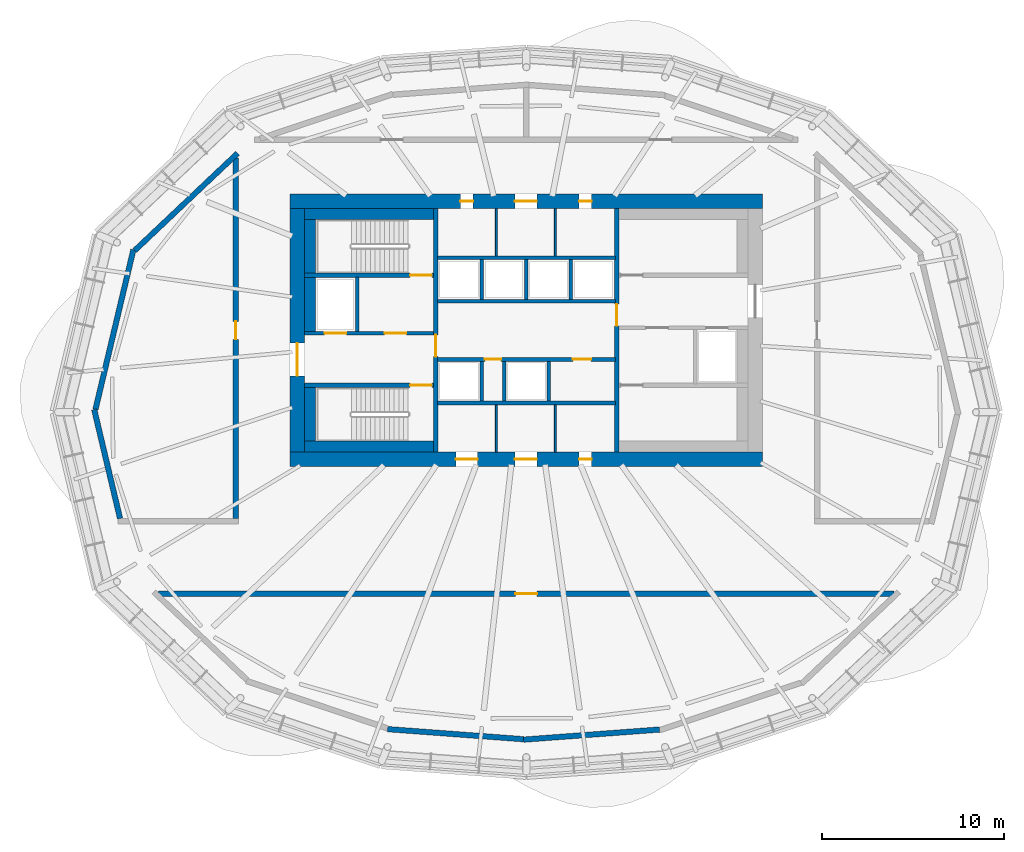
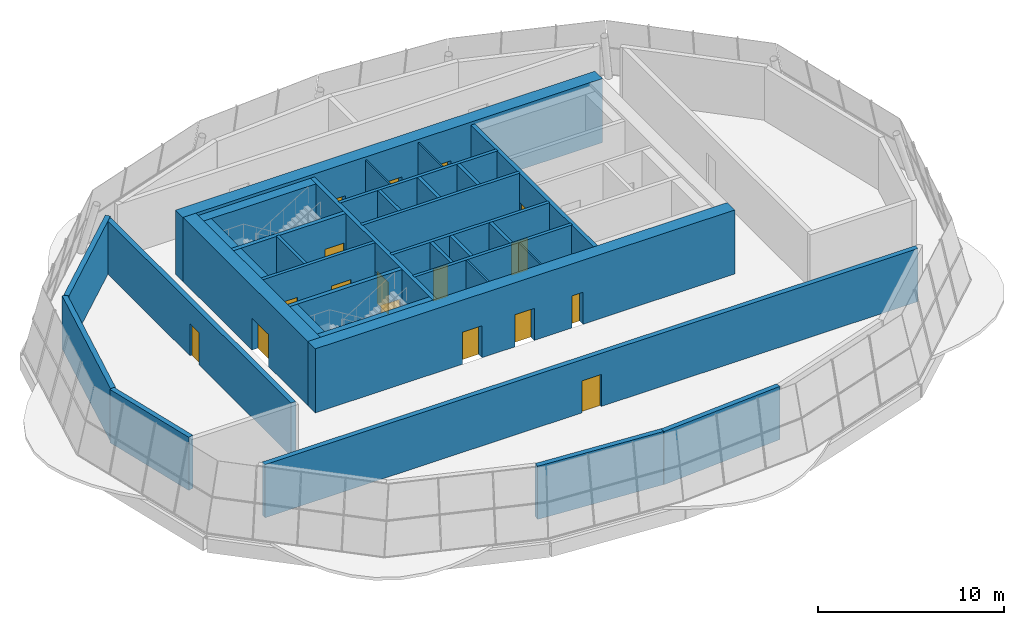
# One storey, part 7 of 9: 35 walls, 17 doors, 17 openings.
"""IFC4 building model written with IfcOpenShell, lengths in metres."""

from ifc_helpers import new_model, si_unit, direction, frame, frame_2d, origin, place, context, subcontext, project, spatial, rectangle, extrude, material, layer, layer_set, type_object, element, fill, save


model = new_model("IFC4")

# Units and contexts
model_context = context("Model", 3, precision=1e-05, world=origin(), true_north=direction((0.0, 1.0)))
body_context = subcontext(model_context, "Body", "Model", "MODEL_VIEW")
ifc_project = project(units=[si_unit("LENGTHUNIT", "METRE"), si_unit("AREAUNIT", "SQUARE_METRE"), si_unit("VOLUMEUNIT", "CUBIC_METRE"), si_unit("PLANEANGLEUNIT", "RADIAN"), si_unit("MASSUNIT", "GRAM", prefix="KILO")], contexts=[model_context])

# Site, building, storey
site_placement = place(None, origin())
site = spatial("IfcSite", under=ifc_project, at=site_placement, CompositionType="ELEMENT")
building_placement = place(site_placement, origin())
building = spatial("IfcBuilding", under=site, at=building_placement, Name="Rubra Terraces Tower", CompositionType="ELEMENT")
storey_placement = place(building_placement, frame((0.0, 0.0, 307.800048828125)))
storey = spatial("IfcBuildingStorey", under=building, at=storey_placement, Name="L76", CompositionType="ELEMENT", Elevation=307.800048828125)

# Wall, openings, doors
ifc_material_1 = material(Name="Concrete C50", Category="concrete")
ifc_layer_1 = layer(ifc_material_1, 0.800048828125)
ifc_layer_set_1 = layer_set([ifc_layer_1], Name="Concrete C50")
wall_type_1 = type_object("IfcWallType", Name="CORE WALL 800 C50", PredefinedType="SHEAR", material=ifc_layer_set_1)
wall_1_placement = place(storey_placement, frame((-13.0, 11.60009765625, 0.0), z_axis=(0.0, 0.0, 1.0), x_axis=(1.0, 0.0, 0.0)))
wall_1 = element("IfcWall", 1, at=wall_1_placement, inside=storey, type_object=wall_type_1, Name="CORE WALL N L76", PredefinedType="SHEAR", context=body_context, shape_type="SweptSolid", body=[
    extrude(rectangle(XDim=26.0, YDim=0.800048828125, at=frame_2d((13.0, 0.0))), origin(), (0.0, 0.0, 1.0), 4.199951171875),
])
opening_1_placement = place(wall_1_placement, frame((9.375, 0.0, 0.0)))
opening_1 = element("IfcOpeningElement", 2, at=opening_1_placement, cuts=wall_1, Name="Opening L76.C18", PredefinedType="OPENING", context=body_context, shape_type="SweptSolid", body=[
    extrude(rectangle(XDim=0.699951171875, YDim=2.10009765625, at=frame_2d((0.35009765625, 1.050048828125))), frame((0.0, 0.409912109375, 0.0), z_axis=(0.0, -1.0, 0.0), x_axis=(1.0, 0.0, 0.0)), (0.0, 0.0, 1.0), 0.820068359375),
])
opening_2_placement = place(wall_1_placement, frame((12.375, 0.0, 0.0)))
opening_2 = element("IfcOpeningElement", 3, at=opening_2_placement, cuts=wall_1, Name="Opening L76.C19", PredefinedType="OPENING", context=body_context, shape_type="SweptSolid", body=[
    extrude(rectangle(XDim=1.199951171875, YDim=2.10009765625, at=frame_2d((0.60009765625, 1.050048828125))), frame((0.0, 0.409912109375, 0.0), z_axis=(0.0, -1.0, 0.0), x_axis=(1.0, 0.0, 0.0)), (0.0, 0.0, 1.0), 0.820068359375),
])
opening_3_placement = place(wall_1_placement, frame((15.89990234375, 0.0, 0.0)))
opening_3 = element("IfcOpeningElement", 4, at=opening_3_placement, cuts=wall_1, Name="Opening L76.C20", PredefinedType="OPENING", context=body_context, shape_type="SweptSolid", body=[
    extrude(rectangle(XDim=0.699951171875, YDim=2.10009765625, at=frame_2d((0.35009765625, 1.050048828125))), frame((0.0, 0.409912109375, 0.0), z_axis=(0.0, -1.0, 0.0), x_axis=(1.0, 0.0, 0.0)), (0.0, 0.0, 1.0), 0.820068359375),
])
ifc_material_2 = material(Name="Painted steel", Category="steel")
door_type_1 = type_object("IfcDoorType", Name="Fire door 1200x2100 single", OperationType="NOTDEFINED", PredefinedType="DOOR", material=ifc_material_2)
door_1_placement = place(opening_2_placement, origin())
door_1 = element("IfcDoor", 5, at=door_1_placement, inside=storey, type_object=door_type_1, Name="Air handling plant room door", OperationType="SINGLE_SWING_LEFT", OverallHeight=2.10009765625, OverallWidth=1.199951171875, PredefinedType="DOOR", context=body_context, shape_type="SweptSolid", body=[
    extrude(rectangle(XDim=1.199951171875, YDim=2.10009765625, at=frame_2d((0.60009765625, 1.050048828125))), frame((0.0, 0.02490234375, 0.0), z_axis=(0.0, -1.0, 0.0), x_axis=(1.0, 0.0, 0.0)), (0.0, 0.0, 1.0), 0.050048828125),
])
fill(opening_2, door_1)
door_type_2 = type_object("IfcDoorType", Name="Riser access door 700x2100 single", OperationType="NOTDEFINED", PredefinedType="DOOR", material=ifc_material_2)
door_2_placement = place(opening_1_placement, origin())
door_2 = element("IfcDoor", 6, at=door_2_placement, inside=storey, type_object=door_type_2, Name="Telecoms room door", OperationType="SINGLE_SWING_RIGHT", OverallHeight=2.10009765625, OverallWidth=0.699951171875, PredefinedType="DOOR", context=body_context, shape_type="SweptSolid", body=[
    extrude(rectangle(XDim=0.699951171875, YDim=2.10009765625, at=frame_2d((0.35009765625, 1.050048828125))), frame((0.0, 0.02490234375, 0.0), z_axis=(0.0, -1.0, 0.0), x_axis=(1.0, 0.0, 0.0)), (0.0, 0.0, 1.0), 0.050048828125),
])
fill(opening_1, door_2)
door_3_placement = place(opening_3_placement, origin())
door_3 = element("IfcDoor", 7, at=door_3_placement, inside=storey, type_object=door_type_2, Name="Electrical riser room door", OperationType="SINGLE_SWING_RIGHT", OverallHeight=2.10009765625, OverallWidth=0.699951171875, PredefinedType="DOOR", context=body_context, shape_type="SweptSolid", body=[
    extrude(rectangle(XDim=0.699951171875, YDim=2.10009765625, at=frame_2d((0.35009765625, 1.050048828125))), frame((0.0, 0.02490234375, 0.0), z_axis=(0.0, -1.0, 0.0), x_axis=(1.0, 0.0, 0.0)), (0.0, 0.0, 1.0), 0.050048828125),
])
fill(opening_3, door_3)

wall_2_placement = place(storey_placement, frame((-13.0, -2.60009765625, 0.0), z_axis=(0.0, 0.0, 1.0), x_axis=(1.0, 0.0, 0.0)))
wall_2 = element("IfcWall", 8, at=wall_2_placement, inside=storey, type_object=wall_type_1, Name="CORE WALL S L76", PredefinedType="SHEAR", context=body_context, shape_type="SweptSolid", body=[
    extrude(rectangle(XDim=26.0, YDim=0.800048828125, at=frame_2d((13.0, 0.0))), origin(), (0.0, 0.0, 1.0), 4.199951171875),
])
opening_4_placement = place(wall_2_placement, frame((9.125, 0.0, 0.0)))
opening_4 = element("IfcOpeningElement", 9, at=opening_4_placement, cuts=wall_2, Name="Opening L76.C15", PredefinedType="OPENING", context=body_context, shape_type="SweptSolid", body=[
    extrude(rectangle(XDim=1.199951171875, YDim=2.10009765625, at=frame_2d((0.60009765625, 1.050048828125))), frame((0.0, 0.409912109375, 0.0), z_axis=(0.0, -1.0, 0.0), x_axis=(1.0, 0.0, 0.0)), (0.0, 0.0, 1.0), 0.820068359375),
])
opening_5_placement = place(wall_2_placement, frame((12.375, 0.0, 0.0)))
opening_5 = element("IfcOpeningElement", 10, at=opening_5_placement, cuts=wall_2, Name="Opening L76.C16", PredefinedType="OPENING", context=body_context, shape_type="SweptSolid", body=[
    extrude(rectangle(XDim=1.199951171875, YDim=2.10009765625, at=frame_2d((0.60009765625, 1.050048828125))), frame((0.0, 0.409912109375, 0.0), z_axis=(0.0, -1.0, 0.0), x_axis=(1.0, 0.0, 0.0)), (0.0, 0.0, 1.0), 0.820068359375),
])
opening_6_placement = place(wall_2_placement, frame((15.89990234375, 0.0, 0.0)))
opening_6 = element("IfcOpeningElement", 11, at=opening_6_placement, cuts=wall_2, Name="Opening L76.C17", PredefinedType="OPENING", context=body_context, shape_type="SweptSolid", body=[
    extrude(rectangle(XDim=0.699951171875, YDim=2.10009765625, at=frame_2d((0.35009765625, 1.050048828125))), frame((0.0, 0.409912109375, 0.0), z_axis=(0.0, -1.0, 0.0), x_axis=(1.0, 0.0, 0.0)), (0.0, 0.0, 1.0), 0.820068359375),
])
door_4_placement = place(opening_4_placement, origin())
door_4 = element("IfcDoor", 12, at=door_4_placement, inside=storey, type_object=door_type_1, Name="Air handling plant room door", OperationType="SINGLE_SWING_LEFT", OverallHeight=2.10009765625, OverallWidth=1.199951171875, PredefinedType="DOOR", context=body_context, shape_type="SweptSolid", body=[
    extrude(rectangle(XDim=1.199951171875, YDim=2.10009765625, at=frame_2d((0.60009765625, 1.050048828125))), frame((0.0, 0.02490234375, 0.0), z_axis=(0.0, -1.0, 0.0), x_axis=(1.0, 0.0, 0.0)), (0.0, 0.0, 1.0), 0.050048828125),
])
fill(opening_4, door_4)
door_5_placement = place(opening_5_placement, origin())
door_5 = element("IfcDoor", 13, at=door_5_placement, inside=storey, type_object=door_type_1, Name="Air handling plant room door", OperationType="SINGLE_SWING_RIGHT", OverallHeight=2.10009765625, OverallWidth=1.199951171875, PredefinedType="DOOR", context=body_context, shape_type="SweptSolid", body=[
    extrude(rectangle(XDim=1.199951171875, YDim=2.10009765625, at=frame_2d((0.60009765625, 1.050048828125))), frame((0.0, 0.02490234375, 0.0), z_axis=(0.0, -1.0, 0.0), x_axis=(1.0, 0.0, 0.0)), (0.0, 0.0, 1.0), 0.050048828125),
])
fill(opening_5, door_5)
door_6_placement = place(opening_6_placement, origin())
door_6 = element("IfcDoor", 14, at=door_6_placement, inside=storey, type_object=door_type_2, Name="Electrical riser room door", OperationType="SINGLE_SWING_LEFT", OverallHeight=2.10009765625, OverallWidth=0.699951171875, PredefinedType="DOOR", context=body_context, shape_type="SweptSolid", body=[
    extrude(rectangle(XDim=0.699951171875, YDim=2.10009765625, at=frame_2d((0.35009765625, 1.050048828125))), frame((0.0, 0.02490234375, 0.0), z_axis=(0.0, -1.0, 0.0), x_axis=(1.0, 0.0, 0.0)), (0.0, 0.0, 1.0), 0.050048828125),
])
fill(opening_6, door_6)

# Wall, opening, door
wall_3_placement = place(storey_placement, frame((-12.60009765625, -2.199951171875, 0.0), z_axis=(0.0, 0.0, 1.0), x_axis=(0.0, 1.0, 0.0)))
wall_3 = element("IfcWall", 15, at=wall_3_placement, inside=storey, type_object=wall_type_1, Name="CORE WALL W L76", PredefinedType="SHEAR", context=body_context, shape_type="SweptSolid", body=[
    extrude(rectangle(XDim=13.39990234375, YDim=0.800048828125, at=frame_2d((6.699951171875, 0.0))), origin(), (0.0, 0.0, 1.0), 4.199951171875),
])
opening_7_placement = place(wall_3_placement, frame((4.199951171875, 0.0, 0.0)))
opening_7 = element("IfcOpeningElement", 16, at=opening_7_placement, cuts=wall_3, Name="Opening L76.C01", PredefinedType="OPENING", context=body_context, shape_type="SweptSolid", body=[
    extrude(rectangle(XDim=1.800048828125, YDim=2.10009765625, at=frame_2d((0.89990234375, 1.050048828125))), frame((0.0, 0.409912109375, 0.0), z_axis=(0.0, -1.0, 0.0), x_axis=(1.0, 0.0, 0.0)), (0.0, 0.0, 1.0), 0.820068359375),
])
door_type_3 = type_object("IfcDoorType", Name="Fire door 1800x2100 double", OperationType="NOTDEFINED", PredefinedType="DOOR", material=ifc_material_2)
door_7_placement = place(opening_7_placement, origin())
door_7 = element("IfcDoor", 17, at=door_7_placement, inside=storey, type_object=door_type_3, Name="Core entrance door FF1", OperationType="DOUBLE_DOOR_SINGLE_SWING", OverallHeight=2.10009765625, OverallWidth=1.800048828125, PredefinedType="DOOR", context=body_context, shape_type="SweptSolid", body=[
    extrude(rectangle(XDim=1.800048828125, YDim=2.10009765625, at=frame_2d((0.89990234375, 1.050048828125))), frame((0.0, 0.02490234375, 0.0), z_axis=(0.0, -1.0, 0.0), x_axis=(1.0, 0.0, 0.0)), (0.0, 0.0, 1.0), 0.050048828125),
])
fill(opening_7, door_7)

# Walls
ifc_material_3 = material(Name="Concrete C40", Category="concrete")
ifc_layer_2 = layer(ifc_material_3, 0.60009765625)
ifc_layer_set_2 = layer_set([ifc_layer_2], Name="Concrete C40")
wall_type_2 = type_object("IfcWallType", Name="Core lining wall 600 concrete", PredefinedType="SOLIDWALL", material=ifc_layer_set_2)
wall_4_placement = place(storey_placement, frame((-12.199951171875, -1.89990234375, 0.0), z_axis=(0.0, 0.0, 1.0), x_axis=(1.0, 0.0, 0.0)))
element("IfcWall", 18, at=wall_4_placement, inside=storey, type_object=wall_type_2, Name="CORE LINING WALL L76", PredefinedType="SOLIDWALL", context=body_context, shape_type="SweptSolid", body=[
    extrude(rectangle(XDim=7.099853515625, YDim=0.60009765625, at=frame_2d((3.5498046875, 0.0))), origin(), (0.0, 0.0, 1.0), 4.0),
])
wall_5_placement = place(storey_placement, frame((-11.89990234375, -1.60009765625, 0.0), z_axis=(0.0, 0.0, 1.0), x_axis=(0.0, 1.0, 0.0)))
element("IfcWall", 19, at=wall_5_placement, inside=storey, type_object=wall_type_2, Name="CORE LINING WALL L76", PredefinedType="SOLIDWALL", context=body_context, shape_type="SweptSolid", body=[
    extrude(rectangle(XDim=2.9501953125, YDim=0.60009765625, at=frame_2d((1.47509765625, 0.0))), origin(), (0.0, 0.0, 1.0), 4.0),
])
wall_6_placement = place(storey_placement, frame((-11.89990234375, 4.449951171875, 0.0), z_axis=(0.0, 0.0, 1.0), x_axis=(0.0, 1.0, 0.0)))
element("IfcWall", 20, at=wall_6_placement, inside=storey, type_object=wall_type_2, Name="CORE LINING WALL L76", PredefinedType="SOLIDWALL", context=body_context, shape_type="SweptSolid", body=[
    extrude(rectangle(XDim=3.0, YDim=0.60009765625, at=frame_2d((1.5, 0.0))), origin(), (0.0, 0.0, 1.0), 4.0),
])
wall_7_placement = place(storey_placement, frame((-11.89990234375, 7.64990234375, 0.0), z_axis=(0.0, 0.0, 1.0), x_axis=(0.0, 1.0, 0.0)))
element("IfcWall", 21, at=wall_7_placement, inside=storey, type_object=wall_type_2, Name="CORE LINING WALL L76", PredefinedType="SOLIDWALL", context=body_context, shape_type="SweptSolid", body=[
    extrude(rectangle(XDim=2.9501953125, YDim=0.60009765625, at=frame_2d((1.47509765625, 0.0))), origin(), (0.0, 0.0, 1.0), 4.0),
])
wall_8_placement = place(storey_placement, frame((-12.199951171875, 10.89990234375, 0.0), z_axis=(0.0, 0.0, 1.0), x_axis=(1.0, 0.0, 0.0)))
element("IfcWall", 22, at=wall_8_placement, inside=storey, type_object=wall_type_2, Name="CORE LINING WALL L76", PredefinedType="SOLIDWALL", context=body_context, shape_type="SweptSolid", body=[
    extrude(rectangle(XDim=7.099853515625, YDim=0.60009765625, at=frame_2d((3.5498046875, 0.0))), origin(), (0.0, 0.0, 1.0), 4.0),
])

# Wall, openings, doors
ifc_material_4 = material(Name="Concrete C30", Category="concrete")
ifc_layer_3 = layer(ifc_material_4, 0.199951171875)
ifc_layer_set_3 = layer_set([ifc_layer_3], Name="Concrete C30")
wall_type_3 = type_object("IfcWallType", Name="Core wall 200 concrete", PredefinedType="SOLIDWALL", material=ifc_layer_set_3)
wall_9_placement = place(storey_placement, frame((-12.199951171875, 4.35009765625, 0.0), z_axis=(0.0, 0.0, 1.0), x_axis=(1.0, 0.0, 0.0)))
wall_9 = element("IfcWall", 23, at=wall_9_placement, inside=storey, type_object=wall_type_3, Name="STAIR WALL L76", PredefinedType="SOLIDWALL", context=body_context, shape_type="SweptSolid", body=[
    extrude(rectangle(XDim=7.099853515625, YDim=0.199951171875, at=frame_2d((3.5498046875, 0.0))), origin(), (0.0, 0.0, 1.0), 4.0),
])
opening_8_placement = place(wall_9_placement, frame((4.39990234375, 0.0, 0.0)))
opening_8 = element("IfcOpeningElement", 24, at=opening_8_placement, cuts=wall_9, Name="Opening L76.C05", PredefinedType="OPENING", context=body_context, shape_type="SweptSolid", body=[
    extrude(rectangle(XDim=1.199951171875, YDim=2.10009765625, at=frame_2d((0.60009765625, 1.050048828125))), frame((0.0, 0.10986328125, 0.0), z_axis=(0.0, -1.0, 0.0), x_axis=(1.0, 0.0, 0.0)), (0.0, 0.0, 1.0), 0.219970703125),
])
opening_9_placement = place(wall_9_placement, frame((1.10009765625, 0.0, 0.0)))
opening_9 = element("IfcOpeningElement", 25, at=opening_9_placement, cuts=wall_9, Name="Opening L76.C11", PredefinedType="OPENING", context=body_context, shape_type="SweptSolid", body=[
    extrude(rectangle(XDim=1.199951171875, YDim=2.10009765625, at=frame_2d((0.60009765625, 1.050048828125))), frame((0.0, 0.10986328125, 0.0), z_axis=(0.0, -1.0, 0.0), x_axis=(1.0, 0.0, 0.0)), (0.0, 0.0, 1.0), 0.219970703125),
])
door_8_placement = place(opening_8_placement, origin())
door_8 = element("IfcDoor", 26, at=door_8_placement, inside=storey, type_object=door_type_1, Name="Stair vestibule door S2", OperationType="SINGLE_SWING_LEFT", OverallHeight=2.10009765625, OverallWidth=1.199951171875, PredefinedType="DOOR", context=body_context, shape_type="SweptSolid", body=[
    extrude(rectangle(XDim=1.199951171875, YDim=2.10009765625, at=frame_2d((0.60009765625, 1.050048828125))), frame((0.0, 0.02490234375, 0.0), z_axis=(0.0, -1.0, 0.0), x_axis=(1.0, 0.0, 0.0)), (0.0, 0.0, 1.0), 0.050048828125),
])
fill(opening_8, door_8)
ifc_material_5 = material(Name="Stainless steel", Category="steel")
door_type_4 = type_object("IfcDoorType", Name="Lift landing door 1200x2100", OperationType="NOTDEFINED", PredefinedType="DOOR", material=ifc_material_5)
door_9_placement = place(opening_9_placement, origin())
door_9 = element("IfcDoor", 27, at=door_9_placement, inside=storey, type_object=door_type_4, Name="Landing door FF1", OperationType="SLIDING_TO_RIGHT", OverallHeight=2.10009765625, OverallWidth=1.199951171875, PredefinedType="DOOR", context=body_context, shape_type="SweptSolid", body=[
    extrude(rectangle(XDim=1.199951171875, YDim=2.10009765625, at=frame_2d((0.60009765625, 1.050048828125))), frame((0.0, 0.02490234375, 0.0), z_axis=(0.0, -1.0, 0.0), x_axis=(1.0, 0.0, 0.0)), (0.0, 0.0, 1.0), 0.050048828125),
])
fill(opening_9, door_9)

# Walls
wall_10_placement = place(storey_placement, frame((-9.300048828125, 4.449951171875, 0.0), z_axis=(0.0, 0.0, 1.0), x_axis=(0.0, 1.0, 0.0)))
element("IfcWall", 28, at=wall_10_placement, inside=storey, type_object=wall_type_3, Name="STAIR WALL L76", PredefinedType="SOLIDWALL", context=body_context, shape_type="SweptSolid", body=[
    extrude(rectangle(XDim=3.0, YDim=0.199951171875, at=frame_2d((1.5, 0.0))), origin(), (0.0, 0.0, 1.0), 4.0),
])
wall_11_placement = place(storey_placement, frame((-4.89990234375, 0.5, 0.0), z_axis=(0.0, 0.0, 1.0), x_axis=(1.0, 0.0, 0.0)))
element("IfcWall", 29, at=wall_11_placement, inside=storey, type_object=wall_type_3, Name="LIFT SHAFT WALL L76", PredefinedType="SOLIDWALL", context=body_context, shape_type="SweptSolid", body=[
    extrude(rectangle(XDim=9.7998046875, YDim=0.199951171875, at=frame_2d((4.89990234375, 0.0))), origin(), (0.0, 0.0, 1.0), 4.0),
])

# Wall, openings, doors
wall_12_placement = place(storey_placement, frame((-4.89990234375, 2.89990234375, 0.0), z_axis=(0.0, 0.0, 1.0), x_axis=(1.0, 0.0, 0.0)))
wall_12 = element("IfcWall", 30, at=wall_12_placement, inside=storey, type_object=wall_type_3, Name="LIFT SHAFT WALL L76", PredefinedType="SOLIDWALL", context=body_context, shape_type="SweptSolid", body=[
    extrude(rectangle(XDim=9.7998046875, YDim=0.199951171875, at=frame_2d((4.89990234375, 0.0))), origin(), (0.0, 0.0, 1.0), 4.0),
])
opening_10_placement = place(wall_12_placement, frame((2.613037109375, 0.0, 0.0)))
opening_10 = element("IfcOpeningElement", 31, at=opening_10_placement, cuts=wall_12, Name="Opening L76.C13", PredefinedType="OPENING", context=body_context, shape_type="SweptSolid", body=[
    extrude(rectangle(XDim=0.89990234375, YDim=2.10009765625, at=frame_2d((0.449951171875, 1.050048828125))), frame((0.0, 0.10986328125, 0.0), z_axis=(0.0, -1.0, 0.0), x_axis=(1.0, 0.0, 0.0)), (0.0, 0.0, 1.0), 0.219970703125),
])
opening_11_placement = place(wall_12_placement, frame((7.462890625, 0.0, 0.0)))
opening_11 = element("IfcOpeningElement", 32, at=opening_11_placement, cuts=wall_12, Name="Opening L76.C14", PredefinedType="OPENING", context=body_context, shape_type="SweptSolid", body=[
    extrude(rectangle(XDim=1.0, YDim=2.10009765625, at=frame_2d((0.5, 1.050048828125))), frame((0.0, 0.10986328125, 0.0), z_axis=(0.0, -1.0, 0.0), x_axis=(1.0, 0.0, 0.0)), (0.0, 0.0, 1.0), 0.219970703125),
])
door_type_5 = type_object("IfcDoorType", Name="Fire door 1000x2100 single", OperationType="NOTDEFINED", PredefinedType="DOOR", material=ifc_material_2)
door_10_placement = place(opening_11_placement, origin())
door_10 = element("IfcDoor", 33, at=door_10_placement, inside=storey, type_object=door_type_5, Name="Guest pantry door", OperationType="SINGLE_SWING_RIGHT", OverallHeight=2.10009765625, OverallWidth=1.0, PredefinedType="DOOR", context=body_context, shape_type="SweptSolid", body=[
    extrude(rectangle(XDim=1.0, YDim=2.10009765625, at=frame_2d((0.5, 1.050048828125))), frame((0.0, 0.02490234375, 0.0), z_axis=(0.0, -1.0, 0.0), x_axis=(1.0, 0.0, 0.0)), (0.0, 0.0, 1.0), 0.050048828125),
])
fill(opening_11, door_10)
door_type_6 = type_object("IfcDoorType", Name="Fire door 900x2100 single", OperationType="NOTDEFINED", PredefinedType="DOOR", material=ifc_material_2)
door_11_placement = place(opening_10_placement, origin())
door_11 = element("IfcDoor", 34, at=door_11_placement, inside=storey, type_object=door_type_6, Name="Cleaner's store door", OperationType="SINGLE_SWING_LEFT", OverallHeight=2.10009765625, OverallWidth=0.89990234375, PredefinedType="DOOR", context=body_context, shape_type="SweptSolid", body=[
    extrude(rectangle(XDim=0.89990234375, YDim=2.10009765625, at=frame_2d((0.449951171875, 1.050048828125))), frame((0.0, 0.02490234375, 0.0), z_axis=(0.0, -1.0, 0.0), x_axis=(1.0, 0.0, 0.0)), (0.0, 0.0, 1.0), 0.050048828125),
])
fill(opening_10, door_11)

# Walls
for number, where, z_axis, x_axis, name in (
    (35, (-4.89990234375, 6.10009765625, 0.0), (0.0, 0.0, 1.0), (1.0, 0.0, 0.0), "LIFT SHAFT WALL L76"),
    (36, (-4.89990234375, 8.5, 0.0), (0.0, 0.0, 1.0), (1.0, 0.0, 0.0), "LIFT SHAFT WALL L76"),
):
    element("IfcWall", number, at=place(storey_placement, frame(where, z_axis=z_axis, x_axis=x_axis)), inside=storey, type_object=wall_type_3, Name=name, PredefinedType="SOLIDWALL", context=body_context, shape_type="SweptSolid", body=[
        extrude(rectangle(XDim=9.7998046875, YDim=0.199951171875, at=frame_2d((4.89990234375, 0.0))), origin(), (0.0, 0.0, 1.0), 4.0),
    ])
for number, where, z_axis, x_axis, name in (
    (37, (-2.449951171875, 0.60009765625, 0.0), (0.0, 0.0, 1.0), (0.0, 1.0, 0.0), "LIFT SHAFT WALL L76"),
    (38, (-1.22509765625, 0.60009765625, 0.0), (0.0, 0.0, 1.0), (0.0, 1.0, 0.0), "LIFT SHAFT WALL L76"),
    (39, (1.22509765625, 0.60009765625, 0.0), (0.0, 0.0, 1.0), (0.0, 1.0, 0.0), "LIFT SHAFT WALL L76"),
    (40, (-2.449951171875, 6.199951171875, 0.0), (0.0, 0.0, 1.0), (0.0, 1.0, 0.0), "LIFT SHAFT WALL L76"),
    (41, (0.0, 6.199951171875, 0.0), (0.0, 0.0, 1.0), (0.0, 1.0, 0.0), "LIFT SHAFT WALL L76"),
    (42, (2.449951171875, 6.199951171875, 0.0), (0.0, 0.0, 1.0), (0.0, 1.0, 0.0), "LIFT SHAFT WALL L76"),
):
    element("IfcWall", number, at=place(storey_placement, frame(where, z_axis=z_axis, x_axis=x_axis)), inside=storey, type_object=wall_type_3, Name=name, PredefinedType="SOLIDWALL", context=body_context, shape_type="SweptSolid", body=[
        extrude(rectangle(XDim=2.199951171875, YDim=0.199951171875, at=frame_2d((1.10009765625, 0.0))), origin(), (0.0, 0.0, 1.0), 4.0),
    ])
ifc_material_6 = material(Name="Blockwork", Category="masonry")
ifc_layer_4 = layer(ifc_material_6, 0.300048828125)
ifc_layer_set_4 = layer_set([ifc_layer_4], Name="Blockwork")
wall_type_4 = type_object("IfcWallType", Name="Plant wall 300 blockwork", PredefinedType="SOLIDWALL", material=ifc_layer_set_4)
wall_13_placement = place(storey_placement, frame((-22.360107421875, -5.85400390625, 0.0), z_axis=(0.0, 0.0, 1.0), x_axis=(-0.231042450417, 0.972943670572, 0.0)))
element("IfcWall", 43, at=wall_13_placement, inside=storey, type_object=wall_type_4, Name="Plant room wall", PredefinedType="SOLIDWALL", context=body_context, shape_type="SweptSolid", body=[
    extrude(rectangle(XDim=6.166748046875, YDim=0.300048828125, at=frame_2d((3.08349609375, 0.0))), origin(), (0.0, 0.0, 1.0), 3.48388671875),
])
wall_14_placement = place(storey_placement, frame((-23.715087890625, 0.14599609375, 0.0), z_axis=(0.0, 0.0, 1.0), x_axis=(0.231081377849, 0.972934425751, 0.0)))
element("IfcWall", 44, at=wall_14_placement, inside=storey, type_object=wall_type_4, Name="Plant room wall", PredefinedType="SOLIDWALL", context=body_context, shape_type="SweptSolid", body=[
    extrude(rectangle(XDim=9.04052734375, YDim=0.300048828125, at=frame_2d((4.520263671875, 0.0))), origin(), (0.0, 0.0, 1.0), 3.48388671875),
])
wall_15_placement = place(storey_placement, frame((-21.552001953125, 8.89892578125, 0.0), z_axis=(0.0, 0.0, 1.0), x_axis=(0.726650636751, 0.687007170348, 0.0)))
element("IfcWall", 45, at=wall_15_placement, inside=storey, type_object=wall_type_4, Name="Plant room wall", PredefinedType="SOLIDWALL", context=body_context, shape_type="SweptSolid", body=[
    extrude(rectangle(XDim=7.790283203125, YDim=0.300048828125, at=frame_2d((3.89501953125, 0.0))), origin(), (0.0, 0.0, 1.0), 3.48388671875),
])

# Wall, opening, door
wall_16_placement = place(storey_placement, frame((-16.0, 13.998046875, 0.0), z_axis=(0.0, 0.0, 1.0), x_axis=(0.0, -1.0, 0.0)))
wall_16 = element("IfcWall", 46, at=wall_16_placement, inside=storey, type_object=wall_type_4, Name="Plant room wall", PredefinedType="SOLIDWALL", context=body_context, shape_type="SweptSolid", body=[
    extrude(rectangle(XDim=19.84814453125, YDim=0.300048828125, at=frame_2d((9.924072265625, 0.0))), origin(), (0.0, 0.0, 1.0), 3.48388671875),
])
opening_12_placement = place(wall_16_placement, frame((8.998046875, 0.0, 0.0)))
opening_12 = element("IfcOpeningElement", 47, at=opening_12_placement, cuts=wall_16, Name="Opening DB1", PredefinedType="OPENING", context=body_context, shape_type="SweptSolid", body=[
    extrude(rectangle(XDim=1.0, YDim=2.10009765625, at=frame_2d((0.5, 1.050048828125))), frame((0.0, 0.159912109375, 0.0), z_axis=(0.0, -1.0, 0.0), x_axis=(1.0, 0.0, 0.0)), (0.0, 0.0, 1.0), 0.320068359375),
])
ifc_material_7 = material(Name="Painted timber", Category="wood")
door_type_7 = type_object("IfcDoorType", Name="Door 1000x2100 single", OperationType="NOTDEFINED", PredefinedType="DOOR", material=ifc_material_7)
door_12_placement = place(opening_12_placement, origin())
door_12 = element("IfcDoor", 48, at=door_12_placement, inside=storey, type_object=door_type_7, Name="Plant room door L76-01", OperationType="SINGLE_SWING_LEFT", OverallHeight=2.10009765625, OverallWidth=1.0, PredefinedType="DOOR", context=body_context, shape_type="SweptSolid", body=[
    extrude(rectangle(XDim=1.0, YDim=2.10009765625, at=frame_2d((0.5, 1.050048828125))), frame((0.0, 0.02490234375, 0.0), z_axis=(0.0, -1.0, 0.0), x_axis=(1.0, 0.0, 0.0)), (0.0, 0.0, 1.0), 0.050048828125),
])
fill(opening_12, door_12)

# Walls
wall_17_placement = place(storey_placement, frame((7.333984375, -17.469970703125, 0.0), z_axis=(0.0, 0.0, 1.0), x_axis=(-0.99725255451, -0.074076599028, 0.0)))
element("IfcWall", 49, at=wall_17_placement, inside=storey, type_object=wall_type_4, Name="Plant room wall", PredefinedType="SOLIDWALL", context=body_context, shape_type="SweptSolid", body=[
    extrude(rectangle(XDim=7.50439453125, YDim=0.300048828125, at=frame_2d((3.752197265625, 0.0))), origin(), (0.0, 0.0, 1.0), 3.48388671875),
])
wall_18_placement = place(storey_placement, frame((-0.14990234375, -18.00390625, 0.0), z_axis=(0.0, 0.0, 1.0), x_axis=(-0.997252733018, 0.074074195827, 0.0)))
element("IfcWall", 50, at=wall_18_placement, inside=storey, type_object=wall_type_4, Name="Plant room wall", PredefinedType="SOLIDWALL", context=body_context, shape_type="SweptSolid", body=[
    extrude(rectangle(XDim=7.504638671875, YDim=0.300048828125, at=frame_2d((3.75244140625, 0.0))), origin(), (0.0, 0.0, 1.0), 3.48388671875),
])

# Wall, opening, door
wall_19_placement = place(storey_placement, frame((-20.238037109375, -10.0, 0.0), z_axis=(0.0, 0.0, 1.0), x_axis=(1.0, 0.0, 0.0)))
wall_19 = element("IfcWall", 51, at=wall_19_placement, inside=storey, type_object=wall_type_4, Name="Plant room wall", PredefinedType="SOLIDWALL", context=body_context, shape_type="SweptSolid", body=[
    extrude(rectangle(XDim=40.47607421875, YDim=0.300048828125, at=frame_2d((20.238037109375, 0.0))), origin(), (0.0, 0.0, 1.0), 3.48388671875),
])
opening_13_placement = place(wall_19_placement, frame((19.637939453125, 0.0, 0.0)))
opening_13 = element("IfcOpeningElement", 52, at=opening_13_placement, cuts=wall_19, Name="Opening DB2", PredefinedType="OPENING", context=body_context, shape_type="SweptSolid", body=[
    extrude(rectangle(XDim=1.199951171875, YDim=2.10009765625, at=frame_2d((0.60009765625, 1.050048828125))), frame((0.0, 0.159912109375, 0.0), z_axis=(0.0, -1.0, 0.0), x_axis=(1.0, 0.0, 0.0)), (0.0, 0.0, 1.0), 0.320068359375),
])
door_type_8 = type_object("IfcDoorType", Name="Door 1200x2100 plant", OperationType="NOTDEFINED", PredefinedType="DOOR", material=ifc_material_2)
door_13_placement = place(opening_13_placement, origin())
door_13 = element("IfcDoor", 53, at=door_13_placement, inside=storey, type_object=door_type_8, Name="Plant room door L76-03", OperationType="SINGLE_SWING_LEFT", OverallHeight=2.10009765625, OverallWidth=1.199951171875, PredefinedType="DOOR", context=body_context, shape_type="SweptSolid", body=[
    extrude(rectangle(XDim=1.199951171875, YDim=2.10009765625, at=frame_2d((0.60009765625, 1.050048828125))), frame((0.0, 0.02490234375, 0.0), z_axis=(0.0, -1.0, 0.0), x_axis=(1.0, 0.0, 0.0)), (0.0, 0.0, 1.0), 0.050048828125),
])
fill(opening_13, door_13)

# Walls
ifc_layer_5 = layer(ifc_material_6, 0.10009765625)
ifc_layer_set_5 = layer_set([ifc_layer_5], Name="Blockwork")
wall_type_5 = type_object("IfcWallType", Name="Service partition 100 blockwork", PredefinedType="PARTITIONING", material=ifc_layer_set_5)
for number, where, z_axis, x_axis, name in (
    (54, (-1.64990234375, -2.199951171875, 0.0), (0.0, 0.0, 1.0), (0.0, 1.0, 0.0), "SERVICE ROOM PARTITION L76"),
    (55, (1.60009765625, -2.199951171875, 0.0), (0.0, 0.0, 1.0), (0.0, 1.0, 0.0), "SERVICE ROOM PARTITION L76"),
    (56, (-1.64990234375, 8.60009765625, 0.0), (0.0, 0.0, 1.0), (0.0, 1.0, 0.0), "SERVICE ROOM PARTITION L76"),
    (57, (1.60009765625, 8.60009765625, 0.0), (0.0, 0.0, 1.0), (0.0, 1.0, 0.0), "SERVICE ROOM PARTITION L76"),
):
    element("IfcWall", number, at=place(storey_placement, frame(where, z_axis=z_axis, x_axis=x_axis)), inside=storey, type_object=wall_type_5, Name=name, PredefinedType="PARTITIONING", context=body_context, shape_type="SweptSolid", body=[
        extrude(rectangle(XDim=2.599853515625, YDim=0.10009765625, at=frame_2d((1.2998046875, 0.0))), origin(), (0.0, 0.0, 1.0), 4.0),
    ])

# Wall, opening, door
ifc_layer_6 = layer(ifc_material_3, 0.25)
ifc_layer_set_6 = layer_set([ifc_layer_6], Name="Concrete C40")
wall_type_6 = type_object("IfcWallType", Name="Stair enclosure wall 250 concrete", PredefinedType="SOLIDWALL", material=ifc_layer_set_6)
wall_20_placement = place(storey_placement, frame((-12.199951171875, 1.47509765625, 0.0), z_axis=(0.0, 0.0, 1.0), x_axis=(1.0, 0.0, 0.0)))
wall_20 = element("IfcWall", 58, at=wall_20_placement, inside=storey, type_object=wall_type_6, Name="STAIR WALL L76", PredefinedType="SOLIDWALL", context=body_context, shape_type="SweptSolid", body=[
    extrude(rectangle(XDim=7.099853515625, YDim=0.25, at=frame_2d((3.5498046875, 0.0))), origin(), (0.0, 0.0, 1.0), 4.0),
])
opening_14_placement = place(wall_20_placement, frame((5.800048828125, 0.0, 0.0)))
opening_14 = element("IfcOpeningElement", 59, at=opening_14_placement, cuts=wall_20, Name="Opening L76.C07", PredefinedType="OPENING", context=body_context, shape_type="SweptSolid", body=[
    extrude(rectangle(XDim=1.199951171875, YDim=2.10009765625, at=frame_2d((0.60009765625, 1.050048828125))), frame((0.0, 0.135009765625, 0.0), z_axis=(0.0, -1.0, 0.0), x_axis=(1.0, 0.0, 0.0)), (0.0, 0.0, 1.0), 0.27001953125),
])
door_14_placement = place(opening_14_placement, origin())
door_14 = element("IfcDoor", 60, at=door_14_placement, inside=storey, type_object=door_type_1, Name="Stair door S1", OperationType="SINGLE_SWING_LEFT", OverallHeight=2.10009765625, OverallWidth=1.199951171875, PredefinedType="DOOR", context=body_context, shape_type="SweptSolid", body=[
    extrude(rectangle(XDim=1.199951171875, YDim=2.10009765625, at=frame_2d((0.60009765625, 1.050048828125))), frame((0.0, 0.02490234375, 0.0), z_axis=(0.0, -1.0, 0.0), x_axis=(1.0, 0.0, 0.0)), (0.0, 0.0, 1.0), 0.050048828125),
])
fill(opening_14, door_14)

wall_21_placement = place(storey_placement, frame((-12.199951171875, 7.52490234375, 0.0), z_axis=(0.0, 0.0, 1.0), x_axis=(1.0, 0.0, 0.0)))
wall_21 = element("IfcWall", 61, at=wall_21_placement, inside=storey, type_object=wall_type_6, Name="STAIR WALL L76", PredefinedType="SOLIDWALL", context=body_context, shape_type="SweptSolid", body=[
    extrude(rectangle(XDim=7.099853515625, YDim=0.25, at=frame_2d((3.5498046875, 0.0))), origin(), (0.0, 0.0, 1.0), 4.0),
])
opening_15_placement = place(wall_21_placement, frame((5.800048828125, 0.0, 0.0)))
opening_15 = element("IfcOpeningElement", 62, at=opening_15_placement, cuts=wall_21, Name="Opening L76.C09", PredefinedType="OPENING", context=body_context, shape_type="SweptSolid", body=[
    extrude(rectangle(XDim=1.199951171875, YDim=2.10009765625, at=frame_2d((0.60009765625, 1.050048828125))), frame((0.0, 0.135009765625, 0.0), z_axis=(0.0, -1.0, 0.0), x_axis=(1.0, 0.0, 0.0)), (0.0, 0.0, 1.0), 0.27001953125),
])
door_15_placement = place(opening_15_placement, origin())
door_15 = element("IfcDoor", 63, at=door_15_placement, inside=storey, type_object=door_type_1, Name="Stair door S2", OperationType="SINGLE_SWING_LEFT", OverallHeight=2.10009765625, OverallWidth=1.199951171875, PredefinedType="DOOR", context=body_context, shape_type="SweptSolid", body=[
    extrude(rectangle(XDim=1.199951171875, YDim=2.10009765625, at=frame_2d((0.60009765625, 1.050048828125))), frame((0.0, 0.02490234375, 0.0), z_axis=(0.0, -1.0, 0.0), x_axis=(1.0, 0.0, 0.0)), (0.0, 0.0, 1.0), 0.050048828125),
])
fill(opening_15, door_15)

wall_22_placement = place(storey_placement, frame((-4.97509765625, -2.199951171875, 0.0), z_axis=(0.0, 0.0, 1.0), x_axis=(0.0, 1.0, 0.0)))
wall_22 = element("IfcWall", 64, at=wall_22_placement, inside=storey, type_object=wall_type_6, Name="CORE LOBBY WALL L76", PredefinedType="SOLIDWALL", context=body_context, shape_type="SweptSolid", body=[
    extrude(rectangle(XDim=13.39990234375, YDim=0.25, at=frame_2d((6.699951171875, 0.0))), origin(), (0.0, 0.0, 1.0), 4.0),
])
opening_16_placement = place(wall_22_placement, frame((5.25, 0.0, 0.0)))
opening_16 = element("IfcOpeningElement", 65, at=opening_16_placement, cuts=wall_22, Name="Opening L76.C03", PredefinedType="OPENING", context=body_context, shape_type="SweptSolid", body=[
    extrude(rectangle(XDim=1.199951171875, YDim=2.10009765625, at=frame_2d((0.60009765625, 1.050048828125))), frame((0.0, 0.135009765625, 0.0), z_axis=(0.0, -1.0, 0.0), x_axis=(1.0, 0.0, 0.0)), (0.0, 0.0, 1.0), 0.27001953125),
])
door_16_placement = place(opening_16_placement, origin())
door_16 = element("IfcDoor", 66, at=door_16_placement, inside=storey, type_object=door_type_1, Name="Firefighting lobby door FF1", OperationType="SINGLE_SWING_LEFT", OverallHeight=2.10009765625, OverallWidth=1.199951171875, PredefinedType="DOOR", context=body_context, shape_type="SweptSolid", body=[
    extrude(rectangle(XDim=1.199951171875, YDim=2.10009765625, at=frame_2d((0.60009765625, 1.050048828125))), frame((0.0, 0.02490234375, 0.0), z_axis=(0.0, -1.0, 0.0), x_axis=(1.0, 0.0, 0.0)), (0.0, 0.0, 1.0), 0.050048828125),
])
fill(opening_16, door_16)

wall_23_placement = place(storey_placement, frame((4.97509765625, 11.199951171875, 0.0), z_axis=(0.0, 0.0, 1.0), x_axis=(0.0, -1.0, 0.0)))
wall_23 = element("IfcWall", 67, at=wall_23_placement, inside=storey, type_object=wall_type_6, Name="CORE LOBBY WALL L76", PredefinedType="SOLIDWALL", context=body_context, shape_type="SweptSolid", body=[
    extrude(rectangle(XDim=13.39990234375, YDim=0.25, at=frame_2d((6.699951171875, 0.0))), origin(), (0.0, 0.0, 1.0), 4.0),
])
opening_17_placement = place(wall_23_placement, frame((5.25, 0.0, 0.0)))
opening_17 = element("IfcOpeningElement", 68, at=opening_17_placement, cuts=wall_23, Name="Opening L76.C04", PredefinedType="OPENING", context=body_context, shape_type="SweptSolid", body=[
    extrude(rectangle(XDim=1.199951171875, YDim=2.10009765625, at=frame_2d((0.60009765625, 1.050048828125))), frame((0.0, 0.135009765625, 0.0), z_axis=(0.0, -1.0, 0.0), x_axis=(1.0, 0.0, 0.0)), (0.0, 0.0, 1.0), 0.27001953125),
])
door_17_placement = place(opening_17_placement, origin())
door_17 = element("IfcDoor", 69, at=door_17_placement, inside=storey, type_object=door_type_1, Name="Firefighting lobby door FF2", OperationType="SINGLE_SWING_RIGHT", OverallHeight=2.10009765625, OverallWidth=1.199951171875, PredefinedType="DOOR", context=body_context, shape_type="SweptSolid", body=[
    extrude(rectangle(XDim=1.199951171875, YDim=2.10009765625, at=frame_2d((0.60009765625, 1.050048828125))), frame((0.0, 0.02490234375, 0.0), z_axis=(0.0, -1.0, 0.0), x_axis=(1.0, 0.0, 0.0)), (0.0, 0.0, 1.0), 0.050048828125),
])
fill(opening_17, door_17)

save(model, "model.ifc")
